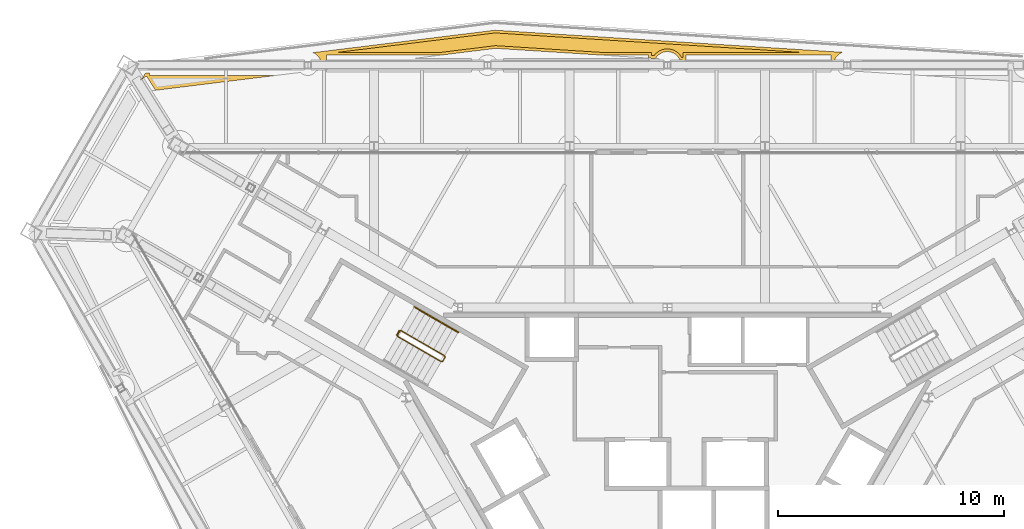
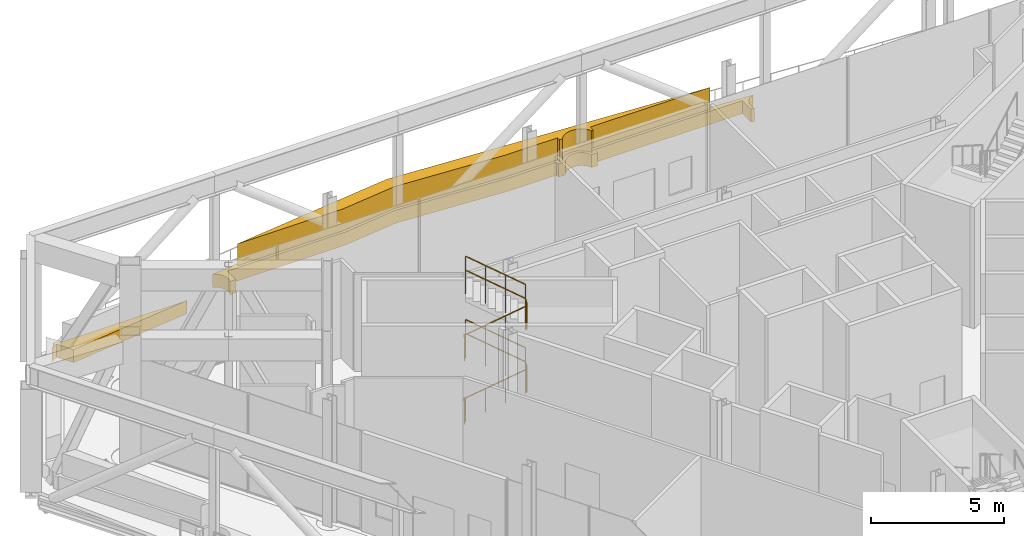
# One storey, part 22 of 24: 4 railings, 3 coverings.
"""IFC4 building model written with IfcOpenShell, lengths in metres."""

from ifc_helpers import new_model, si_unit, direction, frame, origin, origin_2d, place, context, subcontext, project, spatial, polyline, circle, outline, extrude, material, type_object, element, save


model = new_model("IFC4")

# Units and contexts
model_context = context("Model", 3, precision=1e-05, world=origin(), true_north=direction((0.0, 1.0)))
body_context = subcontext(model_context, "Body", "Model", "MODEL_VIEW")
ifc_project = project(units=[si_unit("LENGTHUNIT", "METRE"), si_unit("AREAUNIT", "SQUARE_METRE"), si_unit("VOLUMEUNIT", "CUBIC_METRE"), si_unit("PLANEANGLEUNIT", "RADIAN"), si_unit("MASSUNIT", "GRAM", prefix="KILO")], contexts=[model_context])

# Site, building, storey
site_placement = place(None, origin())
site = spatial("IfcSite", under=ifc_project, at=site_placement, CompositionType="ELEMENT")
building_placement = place(site_placement, origin())
building = spatial("IfcBuilding", under=site, at=building_placement, Name="Verrane Prism Tower", CompositionType="ELEMENT")
storey_placement = place(building_placement, frame((0.0, 0.0, 200.60009765625)))
storey = spatial("IfcBuildingStorey", under=building, at=storey_placement, Name="L50", CompositionType="ELEMENT", Elevation=200.60009765625)

# Coverings
ifc_material_1 = material(Name="Planting medium in stone kerb", Category="masonry")
covering_type_1 = type_object("IfcCoveringType", Name="Planter bed 600", PredefinedType="USERDEFINED", material=ifc_material_1)
covering_1_placement = place(storey_placement, origin())
element("IfcCovering", 1, at=covering_1_placement, inside=storey, type_object=covering_type_1, Name="Planter bed L50 6", ObjectType="PLANTER", PredefinedType="USERDEFINED", context=body_context, shape_type="SweptSolid", body=[
    extrude(outline(polyline([(-15.66845703125, 19.26611328125), (-15.615966796875, 19.2412109375), (-15.565185546875, 19.2109375), (-15.517822265625, 19.17578125), (-15.47412109375, 19.135986328125), (-15.434326171875, 19.09228515625), (-15.399169921875, 19.044677734375), (-15.36865234375, 18.993896484375), (-15.343505859375, 18.9404296875), (-15.323486328125, 18.885009765625), (-15.30908203125, 18.827392578125), (-15.300537109375, 18.76904296875), (-15.297607421875, 18.7099609375), (-15.300537109375, 18.65087890625), (-15.30908203125, 18.592529296875), (-15.323486328125, 18.53515625), (-15.335693359375, 18.5009765625), (-15.076416015625, 18.532958984375), (-15.076416015625, 19.159912109375), (-9.99072265625, 19.159912109375), (-7.596923828125, 19.455078125), (-2.9501953125, 19.159912109375), (-0.82373046875, 19.159912109375), (-0.82373046875, 19.02490234375), (-0.524169921875, 19.005859375), (-0.5009765625, 19.044677734375), (-0.4658203125, 19.09228515625), (-0.426025390625, 19.135986328125), (-0.382080078125, 19.17578125), (-0.334716796875, 19.2109375), (-0.283935546875, 19.2412109375), (-0.23046875, 19.2666015625), (-0.1748046875, 19.28662109375), (-0.117431640625, 19.30078125), (-0.05908203125, 19.3095703125), (0.0, 19.3125), (0.05908203125, 19.3095703125), (0.117431640625, 19.30078125), (0.1748046875, 19.28662109375), (0.23046875, 19.2666015625), (0.283935546875, 19.2412109375), (0.334716796875, 19.2109375), (0.382080078125, 19.17578125), (0.426025390625, 19.135986328125), (0.4658203125, 19.09228515625), (0.5009765625, 19.044677734375), (0.53125, 18.993896484375), (0.5576171875, 18.937255859375), (0.82373046875, 18.92041015625), (0.82373046875, 19.159912109375), (7.2333984375, 19.159912109375), (7.2333984375, 18.51318359375), (7.384765625, 18.503662109375), (7.37353515625, 18.53515625), (7.359130859375, 18.592529296875), (7.3505859375, 18.65087890625), (7.34765625, 18.7099609375), (7.3505859375, 18.76904296875), (7.359130859375, 18.827392578125), (7.37353515625, 18.885009765625), (7.3935546875, 18.9404296875), (7.418701171875, 18.993896484375), (7.44921875, 19.044677734375), (7.484375, 19.09228515625), (7.52392578125, 19.135986328125), (7.56787109375, 19.17578125), (7.615234375, 19.2109375), (7.666015625, 19.2412109375), (7.719482421875, 19.2666015625), (7.760986328125, 19.281494140625), (-7.62060546875, 20.25830078125), (-15.66845703125, 19.26611328125)])), origin(), (0.0, 0.0, 1.0), 0.599853515625),
])
covering_2_placement = place(storey_placement, origin())
element("IfcCovering", 2, at=covering_2_placement, inside=storey, type_object=covering_type_1, Name="Planter bed L50 10", ObjectType="PLANTER", PredefinedType="USERDEFINED", context=body_context, shape_type="SweptSolid", body=[
    extrude(outline(polyline([(-23.0283203125, 18.22900390625), (-22.63525390625, 17.60107421875), (-17.34716796875, 18.253173828125), (-17.34765625, 18.260009765625), (-22.906982421875, 18.260009765625), (-22.906982421875, 18.373779296875), (-23.090576171875, 18.35107421875), (-23.1103515625, 18.309326171875), (-23.1533203125, 18.23779296875), (-23.202880859375, 18.1708984375), (-23.259033203125, 18.10888671875), (-23.322265625, 18.051513671875), (-23.31884765625, 18.047119140625), (-23.0283203125, 18.22900390625)])), origin(), (0.0, 0.0, 1.0), 0.599853515625),
])
ifc_material_2 = material(Name="Planted shrubs and grasses", Category="other")
covering_type_2 = type_object("IfcCoveringType", Name="Planting mass 1000", PredefinedType="USERDEFINED", material=ifc_material_2)
covering_3_placement = place(storey_placement, frame((0.0, 0.0, 0.599853515625)))
element("IfcCovering", 3, at=covering_3_placement, inside=storey, type_object=covering_type_2, Name="Planting L50 6", ObjectType="PLANTING", PredefinedType="USERDEFINED", context=body_context, shape_type="SweptSolid", body=[
    extrude(outline(polyline([(-9.998046875, 19.280029296875), (-7.6005859375, 19.57568359375), (-2.9462890625, 19.280029296875), (-0.70361328125, 19.280029296875), (-0.70361328125, 19.1376953125), (-0.5869140625, 19.130126953125), (-0.55859375, 19.16845703125), (-0.510986328125, 19.220947265625), (-0.45849609375, 19.2685546875), (-0.4013671875, 19.310791015625), (-0.340576171875, 19.34716796875), (-0.276611328125, 19.37744140625), (-0.209716796875, 19.4013671875), (-0.14111328125, 19.418701171875), (-0.07080078125, 19.42919921875), (0.0, 19.4326171875), (0.07080078125, 19.42919921875), (0.14111328125, 19.418701171875), (0.209716796875, 19.4013671875), (0.276611328125, 19.37744140625), (0.340576171875, 19.34716796875), (0.4013671875, 19.310791015625), (0.45849609375, 19.2685546875), (0.510986328125, 19.220947265625), (0.55859375, 19.16845703125), (0.600830078125, 19.111328125), (0.635986328125, 19.052490234375), (0.70361328125, 19.048095703125), (0.70361328125, 19.280029296875), (5.888916015625, 19.280029296875), (-7.6171875, 20.1376953125), (-14.57470703125, 19.280029296875), (-9.998046875, 19.280029296875)])), origin(), (0.0, 0.0, 1.0), 1.0),
])

# Railings
ifc_material_3 = material(Name="Steel A36 rail and posts, no infill", Category="steel")
railing_type_1 = type_object("IfcRailingType", Name="Stair guard 1100 steel rail and posts", PredefinedType="GUARDRAIL", material=ifc_material_3)
railing_1_placement = place(storey_placement, frame((-11.939453125, 6.72021484375, 0.1611328125)))
element("IfcRailing", 4, at=railing_1_placement, inside=storey, type_object=railing_type_1, Name="Stair 2 guard", PredefinedType="GUARDRAIL", context=body_context, shape_type="SweptSolid", body=[
    extrude(circle(Radius=0.02392578125, at=origin_2d()), frame((0.0, 0.0, 1.076171875), z_axis=(0.750595867838, -0.433446676103, 0.498728204697), x_axis=(0.500077830873, 0.865980463445, 0.0)), (0.0, 0.0, 1.0), 2.584228515625),
    extrude(circle(Radius=0.02392578125, at=origin_2d()), frame((1.939697265625, -1.1201171875, 2.36474609375), z_axis=(0.965948051503, 0.258736085224, 0.0), x_axis=(-0.258736085224, 0.965948051503, 0.0)), (0.0, 0.0, 1.0), 0.07080078125),
    extrude(circle(Radius=0.02392578125, at=origin_2d()), frame((2.008056640625, -1.101806640625, 2.36474609375), z_axis=(0.500603037456, 0.865676959893, 0.0), x_axis=(-0.865676959893, 0.500603037456, 0.0)), (0.0, 0.0, 1.0), 0.199951171875),
    extrude(circle(Radius=0.02392578125, at=origin_2d()), frame((2.108154296875, -0.9287109375, 2.36474609375), z_axis=(-0.104043809355, 0.388430221592, 0.915585522324), x_axis=(-0.965948051503, -0.258736085224, 0.0)), (0.0, 0.0, 1.0), 0.176025390625),
    extrude(circle(Radius=0.02392578125, at=origin_2d()), frame((2.08984375, -0.8603515625, 2.52587890625), z_axis=(-0.750637111348, 0.433415940959, 0.498692840524), x_axis=(-0.500030632641, -0.866007717299, 0.0)), (0.0, 0.0, 1.0), 2.58447265625),
    extrude(circle(Radius=0.02392578125, at=origin_2d()), frame((0.14990234375, 0.259765625, 3.81494140625), z_axis=(-0.659656118156, -0.751567565678, 0.0), x_axis=(0.751567565678, -0.659656118156, 0.0)), (0.0, 0.0, 1.0), 0.2548828125),
    extrude(circle(Radius=0.02392578125, at=origin_2d()), frame((-0.018310546875, 0.068115234375, 3.81494140625), z_axis=(0.499158860599, 0.866510491504, 0.0), x_axis=(-0.866510491504, 0.499158860599, 0.0)), (0.0, 0.0, 1.0), 0.199951171875),
    extrude(circle(Radius=0.02392578125, at=origin_2d()), frame((0.08154296875, 0.241455078125, 3.81494140625), z_axis=(-0.270440734056, -0.800796065813, 0.53440384574), x_axis=(0.947430582667, -0.3199613899, 0.0)), (0.0, 0.0, 1.0), 0.301513671875),
    extrude(circle(Radius=0.02392578125, at=origin_2d()), frame((0.0, 0.0, 3.97607421875), z_axis=(0.750595867838, -0.433446676103, 0.498728204697), x_axis=(0.500077830873, 0.865980463445, 0.0)), (0.0, 0.0, 1.0), 2.584228515625),
    extrude(circle(Radius=0.02392578125, at=origin_2d()), frame((1.939697265625, -1.1201171875, 5.2646484375), z_axis=(0.965948051503, 0.258736085224, 0.0), x_axis=(-0.258736085224, 0.965948051503, 0.0)), (0.0, 0.0, 1.0), 0.07080078125),
    extrude(circle(Radius=0.02392578125, at=origin_2d()), frame((2.008056640625, -1.101806640625, 5.2646484375), z_axis=(0.500603037456, 0.865676959893, 0.0), x_axis=(-0.865676959893, 0.500603037456, 0.0)), (0.0, 0.0, 1.0), 0.199951171875),
    extrude(circle(Radius=0.02392578125, at=origin_2d()), frame((2.108154296875, -0.9287109375, 5.2646484375), z_axis=(-0.104043809355, 0.388430221592, 0.915585522324), x_axis=(-0.965948051503, -0.258736085224, 0.0)), (0.0, 0.0, 1.0), 0.176025390625),
    extrude(circle(Radius=0.02392578125, at=origin_2d()), frame((2.08984375, -0.8603515625, 5.42578125), z_axis=(-0.750637111348, 0.433415940959, 0.498692840524), x_axis=(-0.500030632641, -0.866007717299, 0.0)), (0.0, 0.0, 1.0), 2.58447265625),
    extrude(circle(Radius=0.02099609375, at=origin_2d()), origin(), (0.0, 0.0, 1.0), 1.052001953125),
    extrude(circle(Radius=0.02099609375, at=origin_2d()), frame((0.646484375, -0.373291015625, 0.4296875)), (0.0, 0.0, 1.0), 1.052001953125),
    extrude(circle(Radius=0.02099609375, at=origin_2d()), frame((1.293212890625, -0.746826171875, 0.859130859375)), (0.0, 0.0, 1.0), 1.052001953125),
    extrude(circle(Radius=0.02099609375, at=origin_2d()), frame((1.939697265625, -1.1201171875, 1.288818359375)), (0.0, 0.0, 1.0), 1.052001953125),
    extrude(circle(Radius=0.02099609375, at=origin_2d()), frame((2.008056640625, -1.101806640625, 1.288818359375)), (0.0, 0.0, 1.0), 1.052001953125),
    extrude(circle(Radius=0.02099609375, at=origin_2d()), frame((2.108154296875, -0.9287109375, 1.288818359375)), (0.0, 0.0, 1.0), 1.052001953125),
    extrude(circle(Radius=0.02099609375, at=origin_2d()), frame((2.08984375, -0.8603515625, 1.449951171875)), (0.0, 0.0, 1.0), 1.052001953125),
    extrude(circle(Radius=0.02099609375, at=origin_2d()), frame((1.443115234375, -0.487060546875, 1.879638671875)), (0.0, 0.0, 1.0), 1.052001953125),
    extrude(circle(Radius=0.02099609375, at=origin_2d()), frame((0.796630859375, -0.113525390625, 2.30908203125)), (0.0, 0.0, 1.0), 1.052001953125),
    extrude(circle(Radius=0.02099609375, at=origin_2d()), frame((0.14990234375, 0.259765625, 2.73876953125)), (0.0, 0.0, 1.0), 1.052001953125),
    extrude(circle(Radius=0.02099609375, at=origin_2d()), frame((-0.018310546875, 0.068115234375, 2.73876953125)), (0.0, 0.0, 1.0), 1.052001953125),
    extrude(circle(Radius=0.02099609375, at=origin_2d()), frame((0.08154296875, 0.241455078125, 2.73876953125)), (0.0, 0.0, 1.0), 1.052001953125),
    extrude(circle(Radius=0.02099609375, at=origin_2d()), frame((0.0, 0.0, 2.89990234375)), (0.0, 0.0, 1.0), 1.052001953125),
    extrude(circle(Radius=0.02099609375, at=origin_2d()), frame((0.646484375, -0.373291015625, 3.32958984375)), (0.0, 0.0, 1.0), 1.052001953125),
    extrude(circle(Radius=0.02099609375, at=origin_2d()), frame((1.293212890625, -0.746826171875, 3.759033203125)), (0.0, 0.0, 1.0), 1.052001953125),
    extrude(circle(Radius=0.02099609375, at=origin_2d()), frame((1.939697265625, -1.1201171875, 4.188720703125)), (0.0, 0.0, 1.0), 1.052001953125),
    extrude(circle(Radius=0.02099609375, at=origin_2d()), frame((2.008056640625, -1.101806640625, 4.188720703125)), (0.0, 0.0, 1.0), 1.052001953125),
    extrude(circle(Radius=0.02099609375, at=origin_2d()), frame((2.108154296875, -0.9287109375, 4.188720703125)), (0.0, 0.0, 1.0), 1.052001953125),
    extrude(circle(Radius=0.02099609375, at=origin_2d()), frame((2.08984375, -0.8603515625, 4.349853515625)), (0.0, 0.0, 1.0), 1.052001953125),
    extrude(circle(Radius=0.02099609375, at=origin_2d()), frame((1.443115234375, -0.487060546875, 4.779541015625)), (0.0, 0.0, 1.0), 1.052001953125),
    extrude(circle(Radius=0.02099609375, at=origin_2d()), frame((0.796630859375, -0.113525390625, 5.208984375)), (0.0, 0.0, 1.0), 1.052001953125),
    extrude(circle(Radius=0.02099609375, at=origin_2d()), frame((0.14990234375, 0.259765625, 5.638671875)), (0.0, 0.0, 1.0), 1.052001953125),
])
railing_2_placement = place(storey_placement, frame((-11.957763671875, 6.788330078125, 0.0)))
element("IfcRailing", 5, at=railing_2_placement, inside=storey, type_object=railing_type_1, Name="Stair 2 guard", PredefinedType="GUARDRAIL", context=body_context, shape_type="SweptSolid", body=[
    extrude(circle(Radius=0.02392578125, at=origin_2d()), frame((0.0, 0.0, 1.076171875), z_axis=(0.499158860599, 0.866510491504, 0.0), x_axis=(-0.866510491504, 0.499158860599, 0.0)), (0.0, 0.0, 1.0), 0.199951171875),
    extrude(circle(Radius=0.02099609375, at=origin_2d()), origin(), (0.0, 0.0, 1.0), 1.052001953125),
    extrude(circle(Radius=0.02099609375, at=origin_2d()), frame((0.099853515625, 0.17333984375, 0.0)), (0.0, 0.0, 1.0), 1.052001953125),
])
ifc_material_4 = material(Name="Steel A36 tube", Category="steel")
railing_type_2 = type_object("IfcRailingType", Name="Stair handrail 900 steel tube", PredefinedType="HANDRAIL", material=ifc_material_4)
for number, where, name in (
    (6, (-9.249755859375, 6.899169921875, 1.611083984375), "Stair 2 handrail"),
    (7, (-9.249755859375, 6.899169921875, 4.510986328125), "Stair 2 handrail"),
):
    element("IfcRailing", number, at=place(storey_placement, frame(where)), inside=storey, type_object=railing_type_2, Name=name, PredefinedType="HANDRAIL", context=body_context, shape_type="SweptSolid", body=[
        extrude(circle(Radius=0.02392578125, at=origin_2d()), frame((0.0, 0.0, 0.8759765625), z_axis=(-0.750626602855, 0.433369946796, 0.498748626365), x_axis=(-0.49999608499, -0.866027664105, 0.0)), (0.0, 0.0, 1.0), 2.583984375),
        extrude(circle(Radius=0.02099609375, at=origin_2d()), origin(), (0.0, 0.0, 1.0), 0.851806640625),
        extrude(circle(Radius=0.02099609375, at=origin_2d()), frame((-0.646484375, 0.373291015625, 0.4296875)), (0.0, 0.0, 1.0), 0.851806640625),
        extrude(circle(Radius=0.02099609375, at=origin_2d()), frame((-1.293212890625, 0.74658203125, 0.859130859375)), (0.0, 0.0, 1.0), 0.851806640625),
        extrude(circle(Radius=0.02099609375, at=origin_2d()), frame((-1.939697265625, 1.119873046875, 1.288818359375)), (0.0, 0.0, 1.0), 0.851806640625),
    ])

save(model, "model.ifc")
